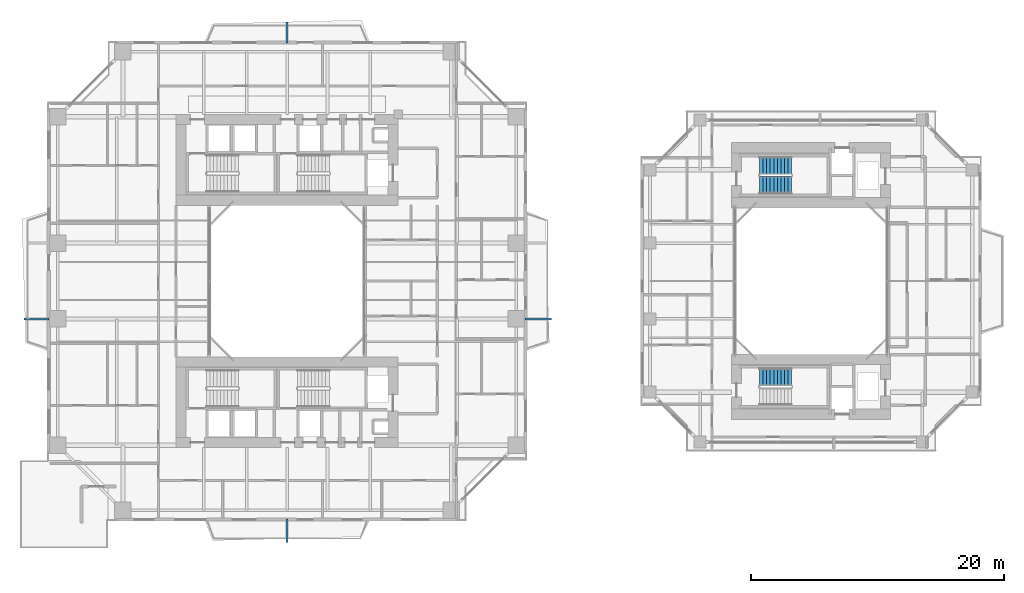
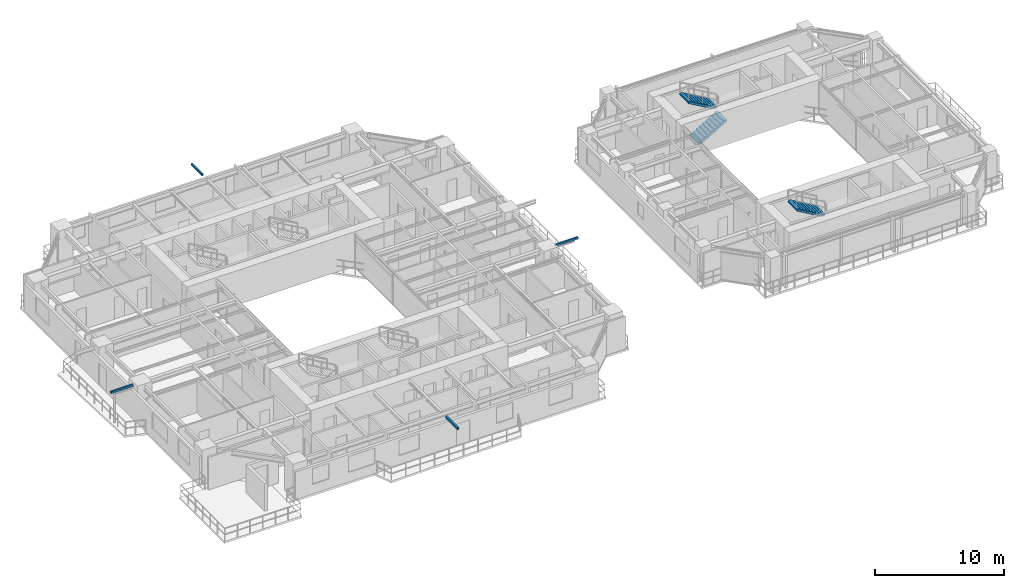
# One storey, part 18 of 22: 4 discrete accessories, 3 stair flights, 2 elements without a shape of their own.
"""IFC4 building model written with IfcOpenShell, lengths in metres."""

from ifc_helpers import new_model, si_unit, direction, frame, origin, origin_2d, place, context, subcontext, project, spatial, polyline, rectangle, outline, extrude, source, transform, mapped, material, type_object, element, aggregate, save


model = new_model("IFC4")

# Units and contexts
model_context = context("Model", 3, precision=1e-05, world=origin(), true_north=direction((0.0, 1.0)))
body_context = subcontext(model_context, "Body", "Model", "MODEL_VIEW")
ifc_project = project(units=[si_unit("LENGTHUNIT", "METRE"), si_unit("AREAUNIT", "SQUARE_METRE"), si_unit("VOLUMEUNIT", "CUBIC_METRE"), si_unit("PLANEANGLEUNIT", "RADIAN"), si_unit("MASSUNIT", "GRAM", prefix="KILO"), si_unit("THERMODYNAMICTEMPERATUREUNIT", "KELVIN"), si_unit("POWERUNIT", "WATT")], contexts=[model_context])

# Site, building, storey
site_placement = place(None, origin())
site = spatial("IfcSite", under=ifc_project, at=site_placement, CompositionType="ELEMENT")
building_placement = place(site_placement, origin())
building = spatial("IfcBuilding", under=site, at=building_placement, Name="Qiaomeng Ring Towers", CompositionType="ELEMENT")
storey_placement = place(building_placement, frame((0.0, 0.0, 53.5)))
storey = spatial("IfcBuildingStorey", under=building, at=storey_placement, Name="L14", CompositionType="ELEMENT", Elevation=53.5)

# Stair, stair flights
ifc_material_1 = material(Name="Precast concrete C40", Category="concrete")
stair_type = type_object("IfcStairType", Name="ARC-ST-325", PredefinedType="HALF_TURN_STAIR", material=ifc_material_1)
stair_1_placement = place(storey_placement, origin())
stair_1 = element("IfcStair", 1, at=stair_1_placement, inside=storey, type_object=stair_type, Name="L14 Companion North Stair 5", PredefinedType="HALF_TURN_STAIR")
stair_flight_type = type_object("IfcStairFlightType", Name="ARC-ST-325-FL", PredefinedType="STRAIGHT", material=ifc_material_1)
shared_shape_1 = source(origin(), body_context, "Body", "SweptSolid", [
    extrude(outline(polyline([(0.0, 0.0), (0.0, 0.16259765625), (0.280029296875, 0.16259765625), (0.280029296875, 0.324951171875), (0.56005859375, 0.324951171875), (0.56005859375, 0.487548828125), (0.840087890625, 0.487548828125), (0.840087890625, 0.64990234375), (1.1201171875, 0.64990234375), (1.1201171875, 0.8125), (1.39990234375, 0.8125), (1.39990234375, 0.97509765625), (1.679931640625, 0.97509765625), (1.679931640625, 1.137451171875), (1.9599609375, 1.137451171875), (1.9599609375, 1.300048828125), (2.239990234375, 1.300048828125), (2.239990234375, 1.46240234375), (2.52001953125, 1.46240234375), (2.52001953125, 1.625), (2.52001953125, 1.2890625), (0.298583984375, 0.0), (0.0, 0.0)])), frame((0.0, 0.699951171875, 0.0), z_axis=(0.0, -1.0, 0.0), x_axis=(1.0, 0.0, 0.0)), (0.0, 0.0, 1.0), 1.39990234375),
])
stair_flight_1_placement = place(storey_placement, frame((56.419921875, 30.60009765625, 0.0), z_axis=(0.0, 0.0, 1.0), x_axis=(1.0, 0.0, 0.0)))
stair_flight_1 = element("IfcStairFlight", 2, at=stair_flight_1_placement, type_object=stair_flight_type, Name="ST5 flight 1", NumberOfRisers=10, NumberOfTreads=9, PredefinedType="STRAIGHT", RiserHeight=0.1625, TreadLength=0.28, context=body_context, shape_type="MappedRepresentation", body=[
    mapped(shared_shape_1, transform((0.0, 0.0, 0.0), x_axis=(1.0, 0.0, 0.0), y_axis=(0.0, 1.0, 0.0), z_axis=(0.0, 0.0, 1.0), scale=1.0)),
])
stair_flight_2_placement = place(storey_placement, frame((58.93994140625, 32.139892578125, 1.625), z_axis=(0.0, 0.0, 1.0), x_axis=(-1.0, 0.0, 0.0)))
stair_flight_2 = element("IfcStairFlight", 3, at=stair_flight_2_placement, type_object=stair_flight_type, Name="ST5 flight 2", NumberOfRisers=10, NumberOfTreads=9, PredefinedType="STRAIGHT", RiserHeight=0.1625, TreadLength=0.28, context=body_context, shape_type="MappedRepresentation", body=[
    mapped(shared_shape_1, transform((0.0, 0.0, 0.0), x_axis=(1.0, 0.0, 0.0), y_axis=(0.0, 1.0, 0.0), z_axis=(0.0, 0.0, 1.0), scale=1.0)),
])
aggregate(stair_1, [stair_flight_1, stair_flight_2])

# Stair, stair flight
stair_2_placement = place(storey_placement, origin())
stair_2 = element("IfcStair", 4, at=stair_2_placement, inside=storey, type_object=stair_type, Name="L14 Companion South Stair 6", PredefinedType="HALF_TURN_STAIR")
stair_flight_3_placement = place(storey_placement, frame((58.93994140625, 15.39990234375, 1.625), z_axis=(0.0, 0.0, 1.0), x_axis=(-1.0, 0.0, 0.0)))
stair_flight_3 = element("IfcStairFlight", 5, at=stair_flight_3_placement, type_object=stair_flight_type, Name="ST6 flight 2", NumberOfRisers=10, NumberOfTreads=9, PredefinedType="STRAIGHT", RiserHeight=0.1625, TreadLength=0.28, context=body_context, shape_type="MappedRepresentation", body=[
    mapped(shared_shape_1, transform((0.0, 0.0, 0.0), x_axis=(1.0, 0.0, 0.0), y_axis=(0.0, 1.0, 0.0), z_axis=(0.0, 0.0, 1.0), scale=1.0)),
])
aggregate(stair_2, [stair_flight_3])

# Discrete accessories
ifc_material_2 = material(Name="Stainless steel 316", Category="steel")
discrete_accessory_type = type_object("IfcDiscreteAccessoryType", Name="ARC-ACC-BRACKET", PredefinedType="BRACKET", material=ifc_material_2)
shared_shape_2 = source(origin(), body_context, "Body", "SweptSolid", [
    extrude(rectangle(XDim=0.159912109375, YDim=1.85009765625, at=origin_2d()), origin(), (0.0, 0.0, 1.0), 0.179931640625),
])
discrete_accessory_1_placement = place(storey_placement, frame((19.0, 3.22509765625, 2.89990234375), z_axis=(0.0, 0.0, 1.0), x_axis=(1.0, 0.0, 0.0)))
element("IfcDiscreteAccessory", 6, at=discrete_accessory_1_placement, inside=storey, type_object=discrete_accessory_type, Name="L14 Stainless Outer-Skin Tie Bracket S", PredefinedType="BRACKET", context=body_context, shape_type="MappedRepresentation", body=[
    mapped(shared_shape_2, transform((0.0, 0.0, 0.0), x_axis=(1.0, 0.0, 0.0), y_axis=(0.0, 1.0, 0.0), z_axis=(0.0, 0.0, 1.0), scale=1.0)),
])
shared_shape_3 = source(origin(), body_context, "Body", "SweptSolid", [
    extrude(rectangle(XDim=0.159912109375, YDim=1.669921875, at=origin_2d()), origin(), (0.0, 0.0, 1.0), 0.179931640625),
])
discrete_accessory_2_placement = place(storey_placement, frame((19.0, 42.68505859375, 2.89990234375), z_axis=(0.0, 0.0, 1.0), x_axis=(1.0, 0.0, 0.0)))
element("IfcDiscreteAccessory", 7, at=discrete_accessory_2_placement, inside=storey, type_object=discrete_accessory_type, Name="L14 Stainless Outer-Skin Tie Bracket N", PredefinedType="BRACKET", context=body_context, shape_type="MappedRepresentation", body=[
    mapped(shared_shape_3, transform((0.0, 0.0, 0.0), x_axis=(1.0, 0.0, 0.0), y_axis=(0.0, 1.0, 0.0), z_axis=(0.0, 0.0, 1.0), scale=1.0)),
])
shared_shape_4 = source(origin(), body_context, "Body", "SweptSolid", [
    extrude(rectangle(XDim=2.0, YDim=0.159912109375, at=origin_2d()), origin(), (0.0, 0.0, 1.0), 0.179931640625),
])
discrete_accessory_3_placement = place(storey_placement, frame((-0.85009765625, 20.0, 2.89990234375), z_axis=(0.0, 0.0, 1.0), x_axis=(1.0, 0.0, 0.0)))
element("IfcDiscreteAccessory", 8, at=discrete_accessory_3_placement, inside=storey, type_object=discrete_accessory_type, Name="L14 Stainless Outer-Skin Tie Bracket W", PredefinedType="BRACKET", context=body_context, shape_type="MappedRepresentation", body=[
    mapped(shared_shape_4, transform((0.0, 0.0, 0.0), x_axis=(1.0, 0.0, 0.0), y_axis=(0.0, 1.0, 0.0), z_axis=(0.0, 0.0, 1.0), scale=1.0)),
])
shared_shape_5 = source(origin(), body_context, "Body", "SweptSolid", [
    extrude(rectangle(XDim=2.070068359375, YDim=0.159912109375, at=origin_2d()), origin(), (0.0, 0.0, 1.0), 0.179931640625),
])
discrete_accessory_4_placement = place(storey_placement, frame((38.885009765625, 20.0, 2.89990234375), z_axis=(0.0, 0.0, 1.0), x_axis=(1.0, 0.0, 0.0)))
element("IfcDiscreteAccessory", 9, at=discrete_accessory_4_placement, inside=storey, type_object=discrete_accessory_type, Name="L14 Stainless Outer-Skin Tie Bracket E", PredefinedType="BRACKET", context=body_context, shape_type="MappedRepresentation", body=[
    mapped(shared_shape_5, transform((0.0, 0.0, 0.0), x_axis=(1.0, 0.0, 0.0), y_axis=(0.0, 1.0, 0.0), z_axis=(0.0, 0.0, 1.0), scale=1.0)),
])

save(model, "model.ifc")
